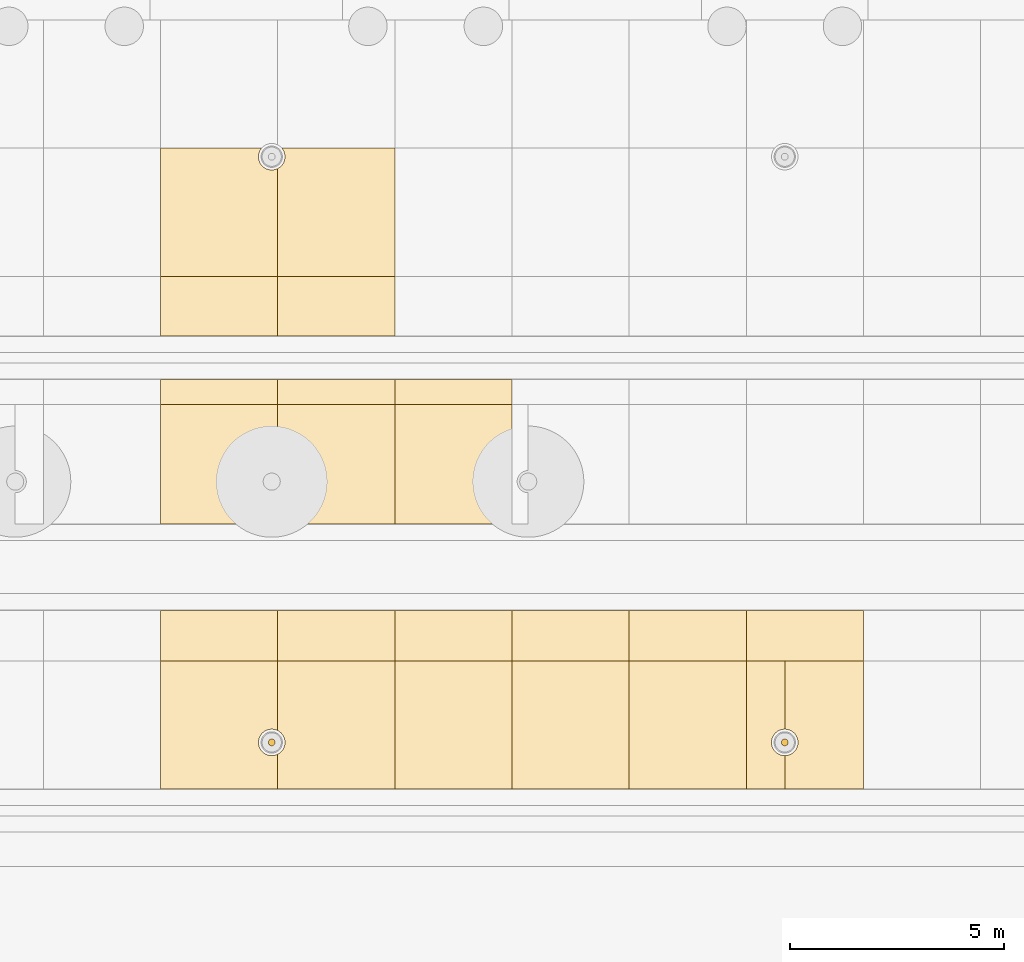
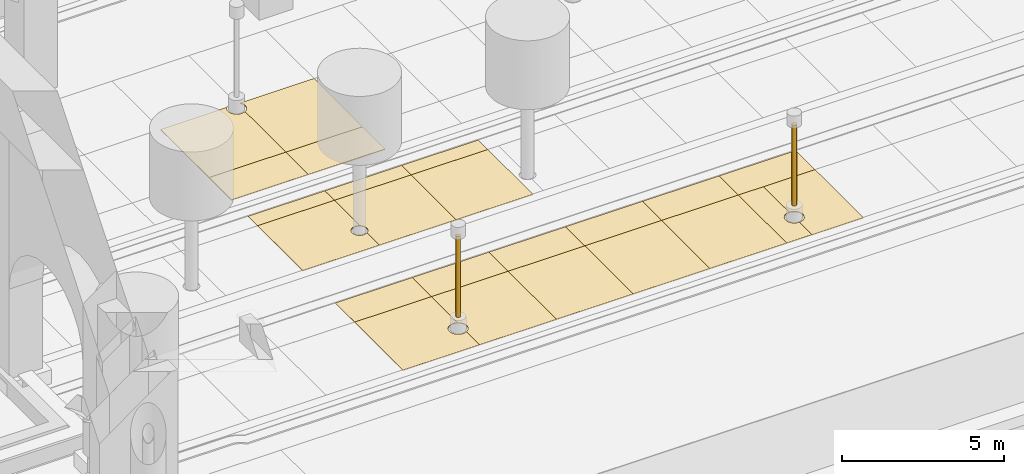
# One storey, part 157 of 222: 25 coverings.
"""IFC4 building model written with IfcOpenShell, lengths in metres."""

from ifc_helpers import new_model, si_unit, direction, frame, origin, origin_2d, place, context, subcontext, project, spatial, polyline, circle, outline, extrude, material, layer, layer_set, type_object, element, save


model = new_model("IFC4")

# Units and contexts
model_context = context("Model", 3, precision=1e-05, world=origin(), true_north=direction((0.0, 1.0)))
body_context = subcontext(model_context, "Body", "Model", "MODEL_VIEW")
ifc_project = project(units=[si_unit("LENGTHUNIT", "METRE"), si_unit("AREAUNIT", "SQUARE_METRE"), si_unit("VOLUMEUNIT", "CUBIC_METRE"), si_unit("PLANEANGLEUNIT", "RADIAN"), si_unit("MASSUNIT", "GRAM", prefix="KILO")], contexts=[model_context])

# Site, building, storey
site_placement = place(None, origin())
site = spatial("IfcSite", under=ifc_project, at=site_placement, CompositionType="ELEMENT")
building_placement = place(site_placement, origin())
building = spatial("IfcBuilding", under=site, at=building_placement, Name="Sava Quay Ferry Terminal", CompositionType="ELEMENT")
storey_placement = place(building_placement, origin())
storey = spatial("IfcBuildingStorey", under=building, at=storey_placement, Name="L00", CompositionType="ELEMENT", Elevation=0.0)

# Coverings
ifc_material_1 = material(Name="Limestone Mutalj", Category="masonry")
ifc_layer_1 = layer(ifc_material_1, 0.030029296875)
ifc_layer_set_1 = layer_set([ifc_layer_1], Name="Limestone Mutalj")
covering_type_1 = type_object("IfcCoveringType", Name="Court paving tile 30", PredefinedType="FLOORING", material=ifc_layer_set_1)
covering_1_placement = place(storey_placement, origin())
element("IfcCovering", 1, at=covering_1_placement, inside=storey, type_object=covering_type_1, Name="Limestone paving tile", PredefinedType="FLOORING", context=body_context, shape_type="SweptSolid", body=[
    extrude(outline(polyline([(114.139892578125, 1.81005859375), (114.139892578125, 2.6240234375), (114.117919921875, 2.613037109375), (114.090087890625, 2.60400390625), (114.06005859375, 2.595947265625), (114.030029296875, 2.591064453125), (114.0, 2.590087890625), (113.969970703125, 2.591064453125), (113.93994140625, 2.595947265625), (113.909912109375, 2.60400390625), (113.881103515625, 2.614013671875), (113.85400390625, 2.6259765625), (113.827880859375, 2.64208984375), (113.802978515625, 2.660888671875), (113.780029296875, 2.680908203125), (113.760009765625, 2.7041015625), (113.741943359375, 2.72802734375), (113.72705078125, 2.7529296875), (113.712890625, 2.781982421875), (113.7041015625, 2.81005859375), (113.696044921875, 2.839111328125), (113.69189453125, 2.868896484375), (113.68994140625, 2.89990234375), (113.69189453125, 2.930908203125), (113.696044921875, 2.9599609375), (113.702880859375, 2.989990234375), (113.712890625, 3.01806640625), (113.72705078125, 3.047119140625), (113.741943359375, 3.072021484375), (113.760009765625, 3.095947265625), (113.780029296875, 3.118896484375), (113.802978515625, 3.138916015625), (113.827880859375, 3.157958984375), (113.85400390625, 3.174072265625), (113.881103515625, 3.18603515625), (113.909912109375, 3.196044921875), (113.93994140625, 3.2041015625), (113.969970703125, 3.208984375), (114.0, 3.2099609375), (114.030029296875, 3.208984375), (114.06005859375, 3.2041015625), (114.090087890625, 3.196044921875), (114.117919921875, 3.18701171875), (114.139892578125, 3.176025390625), (114.139892578125, 4.800048828125), (111.39990234375, 4.800048828125), (111.39990234375, 1.81005859375), (114.139892578125, 1.81005859375)])), origin(), (0.0, 0.0, 1.0), 0.030029296875),
])
covering_2_placement = place(storey_placement, origin())
element("IfcCovering", 2, at=covering_2_placement, inside=storey, type_object=covering_type_1, Name="Limestone paving tile", PredefinedType="FLOORING", context=body_context, shape_type="SweptSolid", body=[
    extrude(outline(polyline([(114.139892578125, 8.010009765625), (114.139892578125, 8.781005859375), (114.1220703125, 8.77001953125), (114.10009765625, 8.760009765625), (114.074951171875, 8.7509765625), (114.050048828125, 8.7451171875), (114.02587890625, 8.740966796875), (114.0, 8.739990234375), (113.97412109375, 8.740966796875), (113.948974609375, 8.7451171875), (113.925048828125, 8.7509765625), (113.90087890625, 8.760009765625), (113.876953125, 8.77099609375), (113.85595703125, 8.783935546875), (113.8349609375, 8.799072265625), (113.81591796875, 8.81689453125), (113.799072265625, 8.8349609375), (113.783935546875, 8.85595703125), (113.77099609375, 8.876953125), (113.760009765625, 8.90087890625), (113.7509765625, 8.925048828125), (113.7451171875, 8.949951171875), (113.740966796875, 8.97412109375), (113.739990234375, 9.0), (113.740966796875, 9.02587890625), (113.7451171875, 9.050048828125), (113.7509765625, 9.074951171875), (113.760009765625, 9.09912109375), (113.77099609375, 9.123046875), (113.783935546875, 9.14404296875), (113.799072265625, 9.1650390625), (113.81591796875, 9.18310546875), (113.8349609375, 9.200927734375), (113.85595703125, 9.216064453125), (113.876953125, 9.22900390625), (113.90087890625, 9.239990234375), (113.925048828125, 9.2490234375), (113.948974609375, 9.2548828125), (113.97412109375, 9.259033203125), (114.0, 9.260009765625), (114.02587890625, 9.259033203125), (114.050048828125, 9.2548828125), (114.074951171875, 9.2490234375), (114.10009765625, 9.239990234375), (114.1220703125, 9.22998046875), (114.139892578125, 9.218994140625), (114.139892578125, 10.800048828125), (111.39990234375, 10.800048828125), (111.39990234375, 8.010009765625), (114.139892578125, 8.010009765625)])), origin(), (0.0, 0.0, 1.0), 0.030029296875),
])
covering_3_placement = place(storey_placement, origin())
element("IfcCovering", 3, at=covering_3_placement, inside=storey, type_object=covering_type_1, Name="Limestone paving tile", PredefinedType="FLOORING", context=body_context, shape_type="SweptSolid", body=[
    extrude(outline(polyline([(114.139892578125, 13.800048828125), (114.139892578125, 16.323974609375), (114.117919921875, 16.31298828125), (114.090087890625, 16.302978515625), (114.06005859375, 16.2958984375), (114.031005859375, 16.2919921875), (114.0, 16.2900390625), (113.968994140625, 16.2919921875), (113.93896484375, 16.2958984375), (113.909912109375, 16.303955078125), (113.881103515625, 16.31396484375), (113.85400390625, 16.325927734375), (113.827880859375, 16.342041015625), (113.802978515625, 16.361083984375), (113.780029296875, 16.381103515625), (113.760009765625, 16.404052734375), (113.741943359375, 16.427978515625), (113.72705078125, 16.452880859375), (113.714111328125, 16.48095703125), (113.7041015625, 16.510009765625), (113.696044921875, 16.5400390625), (113.69091796875, 16.570068359375), (113.68994140625, 16.60009765625), (113.69189453125, 16.631103515625), (113.696044921875, 16.659912109375), (113.702880859375, 16.68994140625), (113.712890625, 16.718017578125), (113.72607421875, 16.74609375), (113.741943359375, 16.77197265625), (113.762939453125, 16.800048828125), (111.39990234375, 16.800048828125), (111.39990234375, 13.800048828125), (114.139892578125, 13.800048828125)])), origin(), (0.0, 0.0, 1.0), 0.030029296875),
])
covering_4_placement = place(storey_placement, origin())
element("IfcCovering", 4, at=covering_4_placement, inside=storey, type_object=covering_type_1, Name="Limestone paving tile", PredefinedType="FLOORING", context=body_context, shape_type="SweptSolid", body=[
    extrude(outline(polyline([(116.8798828125, 4.800048828125), (116.8798828125, 5.989990234375), (114.139892578125, 5.989990234375), (114.139892578125, 4.800048828125), (116.8798828125, 4.800048828125)])), origin(), (0.0, 0.0, 1.0), 0.030029296875),
])
covering_5_placement = place(storey_placement, origin())
element("IfcCovering", 5, at=covering_5_placement, inside=storey, type_object=covering_type_1, Name="Limestone paving tile", PredefinedType="FLOORING", context=body_context, shape_type="SweptSolid", body=[
    extrude(outline(polyline([(116.8798828125, 10.800048828125), (116.8798828125, 11.389892578125), (114.139892578125, 11.389892578125), (114.139892578125, 10.800048828125), (116.8798828125, 10.800048828125)])), origin(), (0.0, 0.0, 1.0), 0.030029296875),
])
covering_6_placement = place(storey_placement, origin())
element("IfcCovering", 6, at=covering_6_placement, inside=storey, type_object=covering_type_1, Name="Limestone paving tile", PredefinedType="FLOORING", context=body_context, shape_type="SweptSolid", body=[
    extrude(outline(polyline([(114.139892578125, 13.800048828125), (114.139892578125, 12.409912109375), (116.8798828125, 12.409912109375), (116.8798828125, 13.800048828125), (114.139892578125, 13.800048828125)])), origin(), (0.0, 0.0, 1.0), 0.030029296875),
])
covering_7_placement = place(storey_placement, origin())
element("IfcCovering", 7, at=covering_7_placement, inside=storey, type_object=covering_type_1, Name="Limestone paving tile", PredefinedType="FLOORING", context=body_context, shape_type="SweptSolid", body=[
    extrude(outline(polyline([(116.8798828125, 4.800048828125), (116.8798828125, 1.81005859375), (119.6201171875, 1.81005859375), (119.6201171875, 4.800048828125), (116.8798828125, 4.800048828125)])), origin(), (0.0, 0.0, 1.0), 0.030029296875),
])
covering_8_placement = place(storey_placement, origin())
element("IfcCovering", 8, at=covering_8_placement, inside=storey, type_object=covering_type_1, Name="Limestone paving tile", PredefinedType="FLOORING", context=body_context, shape_type="SweptSolid", body=[
    extrude(outline(polyline([(116.8798828125, 10.800048828125), (116.8798828125, 8.010009765625), (119.6201171875, 8.010009765625), (119.6201171875, 10.800048828125), (116.8798828125, 10.800048828125)])), origin(), (0.0, 0.0, 1.0), 0.030029296875),
])
covering_9_placement = place(storey_placement, origin())
element("IfcCovering", 9, at=covering_9_placement, inside=storey, type_object=covering_type_1, Name="Limestone paving tile", PredefinedType="FLOORING", context=body_context, shape_type="SweptSolid", body=[
    extrude(outline(polyline([(122.360107421875, 4.800048828125), (122.360107421875, 5.989990234375), (119.6201171875, 5.989990234375), (119.6201171875, 4.800048828125), (122.360107421875, 4.800048828125)])), origin(), (0.0, 0.0, 1.0), 0.030029296875),
])
covering_10_placement = place(storey_placement, origin())
element("IfcCovering", 10, at=covering_10_placement, inside=storey, type_object=covering_type_1, Name="Limestone paving tile", PredefinedType="FLOORING", context=body_context, shape_type="SweptSolid", body=[
    extrude(outline(polyline([(122.360107421875, 4.800048828125), (122.360107421875, 1.81005859375), (125.10009765625, 1.81005859375), (125.10009765625, 4.800048828125), (122.360107421875, 4.800048828125)])), origin(), (0.0, 0.0, 1.0), 0.030029296875),
])
covering_11_placement = place(storey_placement, origin())
element("IfcCovering", 11, at=covering_11_placement, inside=storey, type_object=covering_type_1, Name="Limestone paving tile", PredefinedType="FLOORING", context=body_context, shape_type="SweptSolid", body=[
    extrude(outline(polyline([(127.840087890625, 4.800048828125), (127.840087890625, 5.989990234375), (125.10009765625, 5.989990234375), (125.10009765625, 4.800048828125), (127.840087890625, 4.800048828125)])), origin(), (0.0, 0.0, 1.0), 0.030029296875),
])
ifc_material_2 = material(Name="Red sandstone Vrsac", Category="masonry")
ifc_layer_2 = layer(ifc_material_2, 0.030029296875)
ifc_layer_set_2 = layer_set([ifc_layer_2], Name="Red sandstone Vrsac")
covering_type_2 = type_object("IfcCoveringType", Name="Court paving tile sandstone 30", PredefinedType="FLOORING", material=ifc_layer_set_2)
covering_12_placement = place(storey_placement, origin())
element("IfcCovering", 12, at=covering_12_placement, inside=storey, type_object=covering_type_2, Name="Sandstone paving tile", PredefinedType="FLOORING", context=body_context, shape_type="SweptSolid", body=[
    extrude(outline(polyline([(114.139892578125, 4.800048828125), (114.139892578125, 5.989990234375), (111.39990234375, 5.989990234375), (111.39990234375, 4.800048828125), (114.139892578125, 4.800048828125)])), origin(), (0.0, 0.0, 1.0), 0.030029296875),
])
covering_13_placement = place(storey_placement, origin())
element("IfcCovering", 13, at=covering_13_placement, inside=storey, type_object=covering_type_2, Name="Sandstone paving tile", PredefinedType="FLOORING", context=body_context, shape_type="SweptSolid", body=[
    extrude(outline(polyline([(114.139892578125, 10.800048828125), (114.139892578125, 11.389892578125), (111.39990234375, 11.389892578125), (111.39990234375, 10.800048828125), (114.139892578125, 10.800048828125)])), origin(), (0.0, 0.0, 1.0), 0.030029296875),
])
covering_14_placement = place(storey_placement, origin())
element("IfcCovering", 14, at=covering_14_placement, inside=storey, type_object=covering_type_2, Name="Sandstone paving tile", PredefinedType="FLOORING", context=body_context, shape_type="SweptSolid", body=[
    extrude(outline(polyline([(111.39990234375, 13.800048828125), (111.39990234375, 12.409912109375), (114.139892578125, 12.409912109375), (114.139892578125, 13.800048828125), (111.39990234375, 13.800048828125)])), origin(), (0.0, 0.0, 1.0), 0.030029296875),
])
covering_15_placement = place(storey_placement, origin())
element("IfcCovering", 15, at=covering_15_placement, inside=storey, type_object=covering_type_2, Name="Sandstone paving tile", PredefinedType="FLOORING", context=body_context, shape_type="SweptSolid", body=[
    extrude(outline(polyline([(114.139892578125, 4.800048828125), (114.139892578125, 3.176025390625), (114.172119140625, 3.157958984375), (114.197021484375, 3.138916015625), (114.218994140625, 3.1201171875), (114.239013671875, 3.096923828125), (114.258056640625, 3.072021484375), (114.27294921875, 3.047119140625), (114.285888671875, 3.01904296875), (114.297119140625, 2.989990234375), (114.303955078125, 2.9599609375), (114.30810546875, 2.930908203125), (114.31005859375, 2.89990234375), (114.30810546875, 2.868896484375), (114.303955078125, 2.840087890625), (114.2958984375, 2.81005859375), (114.285888671875, 2.781005859375), (114.27294921875, 2.7529296875), (114.258056640625, 2.72802734375), (114.239013671875, 2.702880859375), (114.218994140625, 2.679931640625), (114.197021484375, 2.660888671875), (114.172119140625, 2.64208984375), (114.139892578125, 2.6240234375), (114.139892578125, 1.81005859375), (116.8798828125, 1.81005859375), (116.8798828125, 4.800048828125), (114.139892578125, 4.800048828125)])), origin(), (0.0, 0.0, 1.0), 0.030029296875),
])
covering_16_placement = place(storey_placement, origin())
element("IfcCovering", 16, at=covering_16_placement, inside=storey, type_object=covering_type_2, Name="Sandstone paving tile", PredefinedType="FLOORING", context=body_context, shape_type="SweptSolid", body=[
    extrude(outline(polyline([(114.139892578125, 10.800048828125), (114.139892578125, 9.218994140625), (114.1650390625, 9.200927734375), (114.18408203125, 9.18310546875), (114.200927734375, 9.1650390625), (114.216064453125, 9.14404296875), (114.22900390625, 9.123046875), (114.239990234375, 9.09912109375), (114.2490234375, 9.074951171875), (114.2548828125, 9.050048828125), (114.259033203125, 9.02587890625), (114.260009765625, 9.0), (114.259033203125, 8.97412109375), (114.2548828125, 8.949951171875), (114.2490234375, 8.925048828125), (114.239990234375, 8.90087890625), (114.22900390625, 8.876953125), (114.216064453125, 8.85595703125), (114.200927734375, 8.8349609375), (114.18408203125, 8.81689453125), (114.1650390625, 8.799072265625), (114.139892578125, 8.781005859375), (114.139892578125, 8.010009765625), (116.8798828125, 8.010009765625), (116.8798828125, 10.800048828125), (114.139892578125, 10.800048828125)])), origin(), (0.0, 0.0, 1.0), 0.030029296875),
])
covering_17_placement = place(storey_placement, origin())
element("IfcCovering", 17, at=covering_17_placement, inside=storey, type_object=covering_type_2, Name="Sandstone paving tile", PredefinedType="FLOORING", context=body_context, shape_type="SweptSolid", body=[
    extrude(outline(polyline([(116.8798828125, 16.800048828125), (114.237060546875, 16.800048828125), (114.257080078125, 16.77294921875), (114.27294921875, 16.7470703125), (114.287109375, 16.718017578125), (114.297119140625, 16.68994140625), (114.303955078125, 16.659912109375), (114.30810546875, 16.631103515625), (114.31005859375, 16.60009765625), (114.30810546875, 16.569091796875), (114.303955078125, 16.5390625), (114.2958984375, 16.510009765625), (114.285888671875, 16.48095703125), (114.27294921875, 16.452880859375), (114.258056640625, 16.427978515625), (114.239990234375, 16.404052734375), (114.218994140625, 16.3798828125), (114.196044921875, 16.360107421875), (114.172119140625, 16.342041015625), (114.139892578125, 16.323974609375), (114.139892578125, 13.800048828125), (116.8798828125, 13.800048828125), (116.8798828125, 16.800048828125)])), origin(), (0.0, 0.0, 1.0), 0.030029296875),
])
covering_18_placement = place(storey_placement, origin())
element("IfcCovering", 18, at=covering_18_placement, inside=storey, type_object=covering_type_2, Name="Sandstone paving tile", PredefinedType="FLOORING", context=body_context, shape_type="SweptSolid", body=[
    extrude(outline(polyline([(119.6201171875, 4.800048828125), (119.6201171875, 5.989990234375), (116.8798828125, 5.989990234375), (116.8798828125, 4.800048828125), (119.6201171875, 4.800048828125)])), origin(), (0.0, 0.0, 1.0), 0.030029296875),
])
covering_19_placement = place(storey_placement, origin())
element("IfcCovering", 19, at=covering_19_placement, inside=storey, type_object=covering_type_2, Name="Sandstone paving tile", PredefinedType="FLOORING", context=body_context, shape_type="SweptSolid", body=[
    extrude(outline(polyline([(119.6201171875, 10.800048828125), (119.6201171875, 11.389892578125), (116.8798828125, 11.389892578125), (116.8798828125, 10.800048828125), (119.6201171875, 10.800048828125)])), origin(), (0.0, 0.0, 1.0), 0.030029296875),
])
covering_20_placement = place(storey_placement, origin())
element("IfcCovering", 20, at=covering_20_placement, inside=storey, type_object=covering_type_2, Name="Sandstone paving tile", PredefinedType="FLOORING", context=body_context, shape_type="SweptSolid", body=[
    extrude(outline(polyline([(119.6201171875, 4.800048828125), (119.6201171875, 1.81005859375), (122.360107421875, 1.81005859375), (122.360107421875, 4.800048828125), (119.6201171875, 4.800048828125)])), origin(), (0.0, 0.0, 1.0), 0.030029296875),
])
covering_21_placement = place(storey_placement, origin())
element("IfcCovering", 21, at=covering_21_placement, inside=storey, type_object=covering_type_2, Name="Sandstone paving tile", PredefinedType="FLOORING", context=body_context, shape_type="SweptSolid", body=[
    extrude(outline(polyline([(125.10009765625, 4.800048828125), (125.10009765625, 5.989990234375), (122.360107421875, 5.989990234375), (122.360107421875, 4.800048828125), (125.10009765625, 4.800048828125)])), origin(), (0.0, 0.0, 1.0), 0.030029296875),
])
covering_22_placement = place(storey_placement, origin())
element("IfcCovering", 22, at=covering_22_placement, inside=storey, type_object=covering_type_2, Name="Sandstone paving tile", PredefinedType="FLOORING", context=body_context, shape_type="SweptSolid", body=[
    extrude(outline(polyline([(126.0, 4.800048828125), (125.10009765625, 4.800048828125), (125.10009765625, 1.81005859375), (126.0, 1.81005859375), (126.0, 2.590087890625), (125.968994140625, 2.592041015625), (125.93896484375, 2.595947265625), (125.909912109375, 2.60400390625), (125.881103515625, 2.614013671875), (125.85302734375, 2.626953125), (125.826904296875, 2.64306640625), (125.802978515625, 2.660888671875), (125.780029296875, 2.680908203125), (125.760009765625, 2.7041015625), (125.741943359375, 2.72802734375), (125.72607421875, 2.75390625), (125.712890625, 2.781982421875), (125.702880859375, 2.81005859375), (125.696044921875, 2.840087890625), (125.69091796875, 2.8701171875), (125.68994140625, 2.89990234375), (125.69189453125, 2.930908203125), (125.696044921875, 2.9609375), (125.7041015625, 2.989990234375), (125.714111328125, 3.01904296875), (125.72705078125, 3.047119140625), (125.742919921875, 3.072998046875), (125.760986328125, 3.096923828125), (125.781005859375, 3.1201171875), (125.803955078125, 3.139892578125), (125.827880859375, 3.157958984375), (125.85400390625, 3.174072265625), (125.882080078125, 3.18701171875), (125.909912109375, 3.197021484375), (125.93994140625, 3.2041015625), (125.969970703125, 3.208984375), (126.0, 3.2099609375), (126.0, 4.800048828125)])), origin(), (0.0, 0.0, 1.0), 0.030029296875),
])
covering_23_placement = place(storey_placement, origin())
element("IfcCovering", 23, at=covering_23_placement, inside=storey, type_object=covering_type_2, Name="Sandstone paving tile", PredefinedType="FLOORING", context=body_context, shape_type="SweptSolid", body=[
    extrude(outline(polyline([(127.840087890625, 4.800048828125), (126.0, 4.800048828125), (126.0, 3.2099609375), (126.031005859375, 3.2080078125), (126.06103515625, 3.2041015625), (126.090087890625, 3.196044921875), (126.118896484375, 3.18603515625), (126.14697265625, 3.173095703125), (126.173095703125, 3.156982421875), (126.197021484375, 3.138916015625), (126.219970703125, 3.118896484375), (126.239990234375, 3.095947265625), (126.258056640625, 3.072021484375), (126.27392578125, 3.0458984375), (126.287109375, 3.01806640625), (126.297119140625, 2.989990234375), (126.303955078125, 2.9599609375), (126.30908203125, 2.929931640625), (126.31005859375, 2.89990234375), (126.30810546875, 2.868896484375), (126.303955078125, 2.839111328125), (126.2958984375, 2.81005859375), (126.285888671875, 2.781005859375), (126.27294921875, 2.7529296875), (126.257080078125, 2.72705078125), (126.239013671875, 2.702880859375), (126.218994140625, 2.679931640625), (126.196044921875, 2.659912109375), (126.172119140625, 2.64208984375), (126.14599609375, 2.6259765625), (126.117919921875, 2.613037109375), (126.090087890625, 2.60302734375), (126.06005859375, 2.595947265625), (126.030029296875, 2.591064453125), (126.0, 2.590087890625), (126.0, 1.81005859375), (127.840087890625, 1.81005859375), (127.840087890625, 4.800048828125)])), origin(), (0.0, 0.0, 1.0), 0.030029296875),
])
ifc_material_3 = material(Name="Steel S355", Category="steel")
ifc_layer_3 = layer(ifc_material_3, 0.159912109375)
ifc_layer_set_3 = layer_set([ifc_layer_3], Name="Steel S355")
covering_type_3 = type_object("IfcCoveringType", Name="Lamp standard column 160", PredefinedType="CLADDING", material=ifc_layer_set_3)
for number, where, z_axis, x_axis, name in (
    (24, (114.0, 2.89990234375, 3.550048828125), (0.0, 0.0, -1.0), (1.0, 0.0, 0.0), "Lamp standard column"),
    (25, (126.0, 2.89990234375, 3.550048828125), (0.0, 0.0, -1.0), (1.0, 0.0, 0.0), "Lamp standard column"),
):
    element("IfcCovering", number, at=place(storey_placement, frame(where, z_axis=z_axis, x_axis=x_axis)), inside=storey, type_object=covering_type_3, Name=name, PredefinedType="CLADDING", context=body_context, shape_type="SweptSolid", body=[
        extrude(circle(Radius=0.080078125, at=origin_2d()), origin(), (0.0, 0.0, 1.0), 3.050048828125),
    ])

save(model, "model.ifc")
